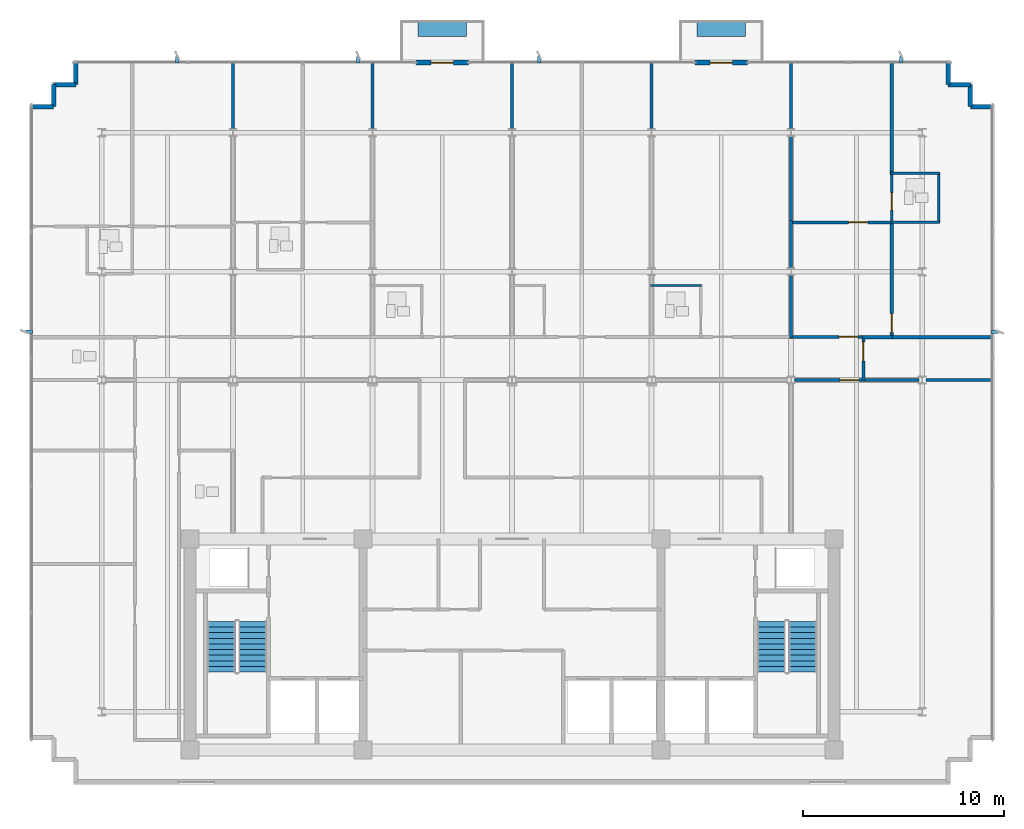
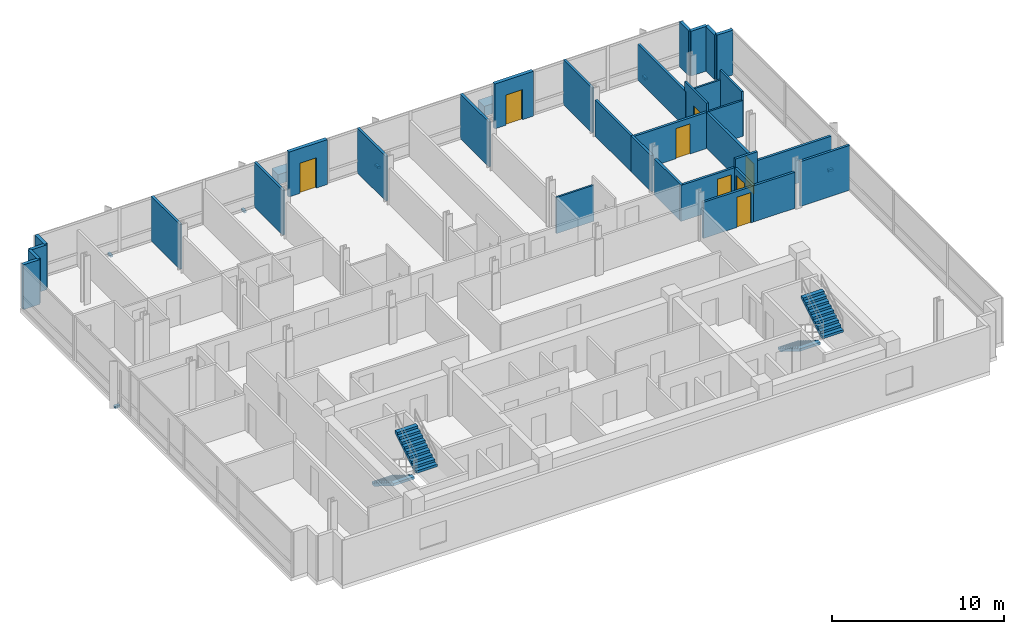
# One storey, part 11 of 14: 33 walls, 8 discrete accessories, 8 doors, 4 stair flights, 8 openings, 2 elements without a shape of their own.
"""IFC4 building model written with IfcOpenShell, lengths in metres."""

from ifc_helpers import new_model, si_unit, direction, frame, frame_2d, origin, origin_2d, place, context, subcontext, project, spatial, polyline, rectangle, outline, extrude, material, layer, layer_set, type_object, element, fill, aggregate, save


model = new_model("IFC4")

# Units and contexts
model_context = context("Model", 3, precision=1e-05, world=origin(), true_north=direction((0.0, 1.0)))
body_context = subcontext(model_context, "Body", "Model", "MODEL_VIEW")
ifc_project = project(units=[si_unit("LENGTHUNIT", "METRE"), si_unit("AREAUNIT", "SQUARE_METRE"), si_unit("VOLUMEUNIT", "CUBIC_METRE"), si_unit("PLANEANGLEUNIT", "RADIAN"), si_unit("MASSUNIT", "GRAM", prefix="KILO")], contexts=[model_context])

# Site, building, storey
site_placement = place(None, origin())
site = spatial("IfcSite", under=ifc_project, at=site_placement, CompositionType="ELEMENT")
building_placement = place(site_placement, origin())
building = spatial("IfcBuilding", under=site, at=building_placement, Name="Solmavex Isthmus Hotel", CompositionType="ELEMENT")
storey_placement = place(building_placement, frame((0.0, 0.0, 252.300048828125)))
storey = spatial("IfcBuildingStorey", under=building, at=storey_placement, Name="L68", CompositionType="ELEMENT", Elevation=252.300048828125)

# Wall, opening, door
ifc_material_1 = material(Name="Precast Concrete C40/50", Category="concrete")
ifc_layer_1 = layer(ifc_material_1, 0.25)
ifc_layer_set_1 = layer_set([ifc_layer_1], Name="Precast Concrete C40/50")
wall_type_1 = type_object("IfcWallType", Name="EW-TWR-250", PredefinedType="STANDARD", material=ifc_layer_set_1)
wall_1_placement = place(storey_placement, frame((-4.76806640625, 21.179931640625, 0.0), z_axis=(0.0, 0.0, 1.0), x_axis=(1.0, 0.0, 0.0)))
wall_1 = element("IfcWall", 1, at=wall_1_placement, inside=storey, type_object=wall_type_1, Name="Exterior Balcony Door Wall L68-2", PredefinedType="STANDARD", context=body_context, shape_type="SweptSolid", body=[
    extrude(rectangle(XDim=2.60009765625, YDim=0.239990234375, at=frame_2d((1.300048828125, 0.0))), origin(), (0.0, 0.0, 1.0), 3.18994140625),
])
opening_1_placement = place(wall_1_placement, frame((0.75, 0.0, 0.0)))
opening_1 = element("IfcOpeningElement", 2, at=opening_1_placement, cuts=wall_1, Name="Opening ED-02", PredefinedType="OPENING", context=body_context, shape_type="SweptSolid", body=[
    extrude(rectangle(XDim=1.10009765625, YDim=2.14990234375, at=frame_2d((0.550048828125, 1.074951171875))), frame((0.0, 0.1298828125, 0.0), z_axis=(0.0, -1.0, 0.0), x_axis=(1.0, 0.0, 0.0)), (0.0, 0.0, 1.0), 0.260009765625),
])
ifc_material_2 = material(Name="Aluminium alloy 6063-T6", Category="aluminium")
door_type_1 = type_object("IfcDoorType", Name="EDR-BALC-1100", OperationType="NOTDEFINED", PredefinedType="DOOR", material=ifc_material_2)
door_1_placement = place(opening_1_placement, origin())
door_1 = element("IfcDoor", 3, at=door_1_placement, inside=storey, type_object=door_type_1, Name="Balcony & Terrace Glazed Door L68-2", OperationType="SINGLE_SWING_RIGHT", OverallHeight=2.14990234375, OverallWidth=1.10009765625, PredefinedType="DOOR", context=body_context, shape_type="SweptSolid", body=[
    extrude(rectangle(XDim=1.10009765625, YDim=2.14990234375, at=frame_2d((0.550048828125, 1.074951171875))), frame((0.0, 0.02490234375, 0.0), z_axis=(0.0, -1.0, 0.0), x_axis=(1.0, 0.0, 0.0)), (0.0, 0.0, 1.0), 0.050048828125),
])
fill(opening_1, door_1)

wall_2_placement = place(storey_placement, frame((9.10400390625, 21.179931640625, 0.0), z_axis=(0.0, 0.0, 1.0), x_axis=(1.0, 0.0, 0.0)))
wall_2 = element("IfcWall", 4, at=wall_2_placement, inside=storey, type_object=wall_type_1, Name="Exterior Balcony Door Wall L68-3", PredefinedType="STANDARD", context=body_context, shape_type="SweptSolid", body=[
    extrude(rectangle(XDim=2.60009765625, YDim=0.239990234375, at=frame_2d((1.300048828125, 0.0))), origin(), (0.0, 0.0, 1.0), 3.18994140625),
])
opening_2_placement = place(wall_2_placement, frame((0.75, 0.0, 0.0)))
opening_2 = element("IfcOpeningElement", 5, at=opening_2_placement, cuts=wall_2, Name="Opening ED-02", PredefinedType="OPENING", context=body_context, shape_type="SweptSolid", body=[
    extrude(rectangle(XDim=1.10009765625, YDim=2.14990234375, at=frame_2d((0.550048828125, 1.074951171875))), frame((0.0, 0.1298828125, 0.0), z_axis=(0.0, -1.0, 0.0), x_axis=(1.0, 0.0, 0.0)), (0.0, 0.0, 1.0), 0.260009765625),
])
door_2_placement = place(opening_2_placement, origin())
door_2 = element("IfcDoor", 6, at=door_2_placement, inside=storey, type_object=door_type_1, Name="Balcony & Terrace Glazed Door L68-3", OperationType="SINGLE_SWING_LEFT", OverallHeight=2.14990234375, OverallWidth=1.10009765625, PredefinedType="DOOR", context=body_context, shape_type="SweptSolid", body=[
    extrude(rectangle(XDim=1.10009765625, YDim=2.14990234375, at=frame_2d((0.550048828125, 1.074951171875))), frame((0.0, 0.02490234375, 0.0), z_axis=(0.0, -1.0, 0.0), x_axis=(1.0, 0.0, 0.0)), (0.0, 0.0, 1.0), 0.050048828125),
])
fill(opening_2, door_2)

# Walls
wall_3_placement = place(storey_placement, frame((-23.889892578125, 18.989990234375, 0.0), z_axis=(0.0, 0.0, 1.0), x_axis=(1.0, 0.0, 0.0)))
element("IfcWall", 7, at=wall_3_placement, inside=storey, type_object=wall_type_1, Name="Serrated Corner Facade Panel L68-06", PredefinedType="STANDARD", context=body_context, shape_type="SweptSolid", body=[
    extrude(rectangle(XDim=1.099853515625, YDim=0.219970703125, at=frame_2d((0.5498046875, 0.0))), origin(), (0.0, 0.0, 1.0), 3.18994140625),
])
for number, where, z_axis, x_axis, name in (
    (8, (-22.7900390625, 18.989990234375, 0.0), (0.0, 0.0, 1.0), (0.0, 1.0, 0.0), "Serrated Corner Facade Panel L68-07"),
    (9, (-22.7900390625, 20.090087890625, 0.0), (0.0, 0.0, 1.0), (1.0, 0.0, 0.0), "Serrated Corner Facade Panel L68-08"),
):
    element("IfcWall", number, at=place(storey_placement, frame(where, z_axis=z_axis, x_axis=x_axis)), inside=storey, type_object=wall_type_1, Name=name, PredefinedType="STANDARD", context=body_context, shape_type="SweptSolid", body=[
        extrude(rectangle(XDim=1.10009765625, YDim=0.219970703125, at=frame_2d((0.550048828125, 0.0))), origin(), (0.0, 0.0, 1.0), 3.18994140625),
    ])
for number, where, z_axis, x_axis, name in (
    (10, (-21.68994140625, 20.090087890625, 0.0), (0.0, 0.0, 1.0), (0.0, 1.0, 0.0), "Serrated Corner Facade Panel L68-09"),
    (11, (21.68994140625, 21.18994140625, 0.0), (0.0, 0.0, 1.0), (0.0, -1.0, 0.0), "Serrated Corner Facade Panel L68-11"),
):
    element("IfcWall", number, at=place(storey_placement, frame(where, z_axis=z_axis, x_axis=x_axis)), inside=storey, type_object=wall_type_1, Name=name, PredefinedType="STANDARD", context=body_context, shape_type="SweptSolid", body=[
        extrude(rectangle(XDim=1.099853515625, YDim=0.219970703125, at=frame_2d((0.5498046875, 0.0))), origin(), (0.0, 0.0, 1.0), 3.18994140625),
    ])
for number, where, z_axis, x_axis, name in (
    (12, (21.68994140625, 20.090087890625, 0.0), (0.0, 0.0, 1.0), (1.0, 0.0, 0.0), "Serrated Corner Facade Panel L68-12"),
    (13, (22.7900390625, 20.090087890625, 0.0), (0.0, 0.0, 1.0), (0.0, -1.0, 0.0), "Serrated Corner Facade Panel L68-13"),
):
    element("IfcWall", number, at=place(storey_placement, frame(where, z_axis=z_axis, x_axis=x_axis)), inside=storey, type_object=wall_type_1, Name=name, PredefinedType="STANDARD", context=body_context, shape_type="SweptSolid", body=[
        extrude(rectangle(XDim=1.10009765625, YDim=0.219970703125, at=frame_2d((0.550048828125, 0.0))), origin(), (0.0, 0.0, 1.0), 3.18994140625),
    ])
wall_4_placement = place(storey_placement, frame((22.7900390625, 18.989990234375, 0.0), z_axis=(0.0, 0.0, 1.0), x_axis=(1.0, 0.0, 0.0)))
element("IfcWall", 14, at=wall_4_placement, inside=storey, type_object=wall_type_1, Name="Serrated Corner Facade Panel L68-14", PredefinedType="STANDARD", context=body_context, shape_type="SweptSolid", body=[
    extrude(rectangle(XDim=1.099853515625, YDim=0.219970703125, at=frame_2d((0.5498046875, 0.0))), origin(), (0.0, 0.0, 1.0), 3.18994140625),
])
ifc_material_3 = material(Name="Gypsum plasterboard lining", Category="gypsum")
ifc_layer_2 = layer(ifc_material_3, 0.159912109375)
ifc_layer_set_2 = layer_set([ifc_layer_2], Name="Gypsum plasterboard lining")
wall_type_2 = type_object("IfcWallType", Name="IW-COMP-160", PredefinedType="PARTITIONING", material=ifc_layer_set_2)
for number, where, z_axis, x_axis, name in (
    (15, (-13.8720703125, 21.219970703125, 0.0), (0.0, 0.0, 1.0), (0.0, -1.0, 0.0), "Interior Partition Wall W-L68-P049"),
    (16, (-6.93603515625, 21.219970703125, 0.0), (0.0, 0.0, 1.0), (0.0, -1.0, 0.0), "Interior Partition Wall W-L68-P060"),
    (17, (0.0, 21.219970703125, 0.0), (0.0, 0.0, 1.0), (0.0, -1.0, 0.0), "Interior Partition Wall W-L68-P065"),
    (18, (6.93603515625, 21.219970703125, 0.0), (0.0, 0.0, 1.0), (0.0, -1.0, 0.0), "Interior Partition Wall W-L68-P071"),
):
    element("IfcWall", number, at=place(storey_placement, frame(where, z_axis=z_axis, x_axis=x_axis)), inside=storey, type_object=wall_type_2, Name=name, PredefinedType="PARTITIONING", context=body_context, shape_type="SweptSolid", body=[
        extrude(rectangle(XDim=3.344970703125, YDim=0.159912109375, at=frame_2d((1.67236328125, 0.0))), origin(), (0.0, 0.0, 1.0), 3.18994140625),
    ])
wall_5_placement = place(storey_placement, frame((13.8720703125, 10.613037109375, 0.0), z_axis=(0.0, 0.0, 1.0), x_axis=(0.0, -1.0, 0.0)))
element("IfcWall", 19, at=wall_5_placement, inside=storey, type_object=wall_type_2, Name="Interior Partition Wall W-L68-P074", PredefinedType="PARTITIONING", context=body_context, shape_type="SweptSolid", body=[
    extrude(rectangle(XDim=3.10302734375, YDim=0.159912109375, at=frame_2d((1.551513671875, 0.0))), origin(), (0.0, 0.0, 1.0), 2.572265625),
])
wall_6_placement = place(storey_placement, frame((13.8720703125, 13.320068359375, 0.0), z_axis=(0.0, 0.0, 1.0), x_axis=(0.0, -1.0, 0.0)))
element("IfcWall", 20, at=wall_6_placement, inside=storey, type_object=wall_type_2, Name="Interior Partition Wall W-L68-P075", PredefinedType="PARTITIONING", context=body_context, shape_type="SweptSolid", body=[
    extrude(rectangle(XDim=2.357177734375, YDim=0.159912109375, at=frame_2d((1.1787109375, 0.0))), origin(), (0.0, 0.0, 1.0), 2.572265625),
])
wall_7_placement = place(storey_placement, frame((13.8720703125, 17.52490234375, 0.0), z_axis=(0.0, 0.0, 1.0), x_axis=(0.0, -1.0, 0.0)))
element("IfcWall", 21, at=wall_7_placement, inside=storey, type_object=wall_type_2, Name="Interior Partition Wall W-L68-P076", PredefinedType="PARTITIONING", context=body_context, shape_type="SweptSolid", body=[
    extrude(rectangle(XDim=4.368896484375, YDim=0.159912109375, at=frame_2d((2.1845703125, 0.0))), origin(), (0.0, 0.0, 1.0), 2.572265625),
])
wall_8_placement = place(storey_placement, frame((13.8720703125, 21.219970703125, 0.0), z_axis=(0.0, 0.0, 1.0), x_axis=(0.0, -1.0, 0.0)))
element("IfcWall", 22, at=wall_8_placement, inside=storey, type_object=wall_type_2, Name="Interior Partition Wall W-L68-P077", PredefinedType="PARTITIONING", context=body_context, shape_type="SweptSolid", body=[
    extrude(rectangle(XDim=3.344970703125, YDim=0.159912109375, at=frame_2d((1.67236328125, 0.0))), origin(), (0.0, 0.0, 1.0), 3.18994140625),
])

# Wall, opening, door
wall_9_placement = place(storey_placement, frame((13.83203125, 13.238037109375, 0.0), z_axis=(0.0, 0.0, 1.0), x_axis=(1.0, 0.0, 0.0)))
wall_9 = element("IfcWall", 23, at=wall_9_placement, inside=storey, type_object=wall_type_2, Name="Interior Partition Wall W-L68-P078", PredefinedType="PARTITIONING", context=body_context, shape_type="SweptSolid", body=[
    extrude(rectangle(XDim=5.083984375, YDim=0.159912109375, at=frame_2d((2.5419921875, 0.0))), origin(), (0.0, 0.0, 1.0), 2.572265625),
])
opening_3_placement = place(wall_9_placement, frame((2.90771484375, 0.0, 0.0)))
opening_3 = element("IfcOpeningElement", 24, at=opening_3_placement, cuts=wall_9, Name="Opening ID-C095", PredefinedType="OPENING", context=body_context, shape_type="SweptSolid", body=[
    extrude(rectangle(XDim=0.949951171875, YDim=2.14990234375, at=frame_2d((0.47509765625, 1.074951171875))), frame((0.0, 0.08984375, 0.0), z_axis=(0.0, -1.0, 0.0), x_axis=(1.0, 0.0, 0.0)), (0.0, 0.0, 1.0), 0.179931640625),
])
ifc_material_4 = material(Name="Hardwood timber", Category="wood")
door_type_2 = type_object("IfcDoorType", Name="IDR-FD60-0950", OperationType="NOTDEFINED", PredefinedType="DOOR", material=ifc_material_4)
door_3_placement = place(opening_3_placement, origin())
door_3 = element("IfcDoor", 25, at=door_3_placement, inside=storey, type_object=door_type_2, Name="Junior Suite Master Bedroom Door L68-17", OperationType="SINGLE_SWING_LEFT", OverallHeight=2.14990234375, OverallWidth=0.949951171875, PredefinedType="DOOR", context=body_context, shape_type="SweptSolid", body=[
    extrude(rectangle(XDim=0.949951171875, YDim=2.14990234375, at=frame_2d((0.47509765625, 1.074951171875))), frame((0.0, 0.02490234375, 0.0), z_axis=(0.0, -1.0, 0.0), x_axis=(1.0, 0.0, 0.0)), (0.0, 0.0, 1.0), 0.050048828125),
])
fill(opening_3, door_3)

wall_10_placement = place(storey_placement, frame((18.8759765625, 13.278076171875, 0.0), z_axis=(0.0, 0.0, 1.0), x_axis=(0.0, -1.0, 0.0)))
wall_10 = element("IfcWall", 26, at=wall_10_placement, inside=storey, type_object=wall_type_2, Name="Interior Partition Wall W-L68-P079", PredefinedType="PARTITIONING", context=body_context, shape_type="SweptSolid", body=[
    extrude(rectangle(XDim=5.7880859375, YDim=0.159912109375, at=frame_2d((2.89404296875, 0.0))), origin(), (0.0, 0.0, 1.0), 2.572265625),
])
opening_4_placement = place(wall_10_placement, frame((4.57666015625, 0.0, 0.0)))
opening_4 = element("IfcOpeningElement", 27, at=opening_4_placement, cuts=wall_10, Name="Opening ID-C095", PredefinedType="OPENING", context=body_context, shape_type="SweptSolid", body=[
    extrude(rectangle(XDim=0.949951171875, YDim=2.14990234375, at=frame_2d((0.47509765625, 1.074951171875))), frame((0.0, 0.08984375, 0.0), z_axis=(0.0, -1.0, 0.0), x_axis=(1.0, 0.0, 0.0)), (0.0, 0.0, 1.0), 0.179931640625),
])
door_4_placement = place(opening_4_placement, frame((0.949951171875, 0.0, 0.0), z_axis=(0.0, 0.0, 1.0), x_axis=(-1.0, 0.0, 0.0)))
door_4 = element("IfcDoor", 28, at=door_4_placement, inside=storey, type_object=door_type_2, Name="Junior Suite Living Lounge Door L68-18", OperationType="SINGLE_SWING_RIGHT", OverallHeight=2.14990234375, OverallWidth=0.949951171875, PredefinedType="DOOR", context=body_context, shape_type="SweptSolid", body=[
    extrude(rectangle(XDim=0.949951171875, YDim=2.14990234375, at=frame_2d((0.47509765625, 1.074951171875))), frame((0.0, 0.02490234375, 0.0), z_axis=(0.0, -1.0, 0.0), x_axis=(1.0, 0.0, 0.0)), (0.0, 0.0, 1.0), 0.050048828125),
])
fill(opening_4, door_4)

# Walls
wall_11_placement = place(storey_placement, frame((18.916015625, 7.530029296875, 0.0), z_axis=(0.0, 0.0, 1.0), x_axis=(-1.0, 0.0, 0.0)))
element("IfcWall", 29, at=wall_11_placement, inside=storey, type_object=wall_type_2, Name="Interior Partition Wall W-L68-P080", PredefinedType="PARTITIONING", context=body_context, shape_type="SweptSolid", body=[
    extrude(rectangle(XDim=1.484130859375, YDim=0.159912109375, at=frame_2d((0.7421875, 0.0))), origin(), (0.0, 0.0, 1.0), 3.18994140625),
])
wall_12_placement = place(storey_placement, frame((18.8759765625, 21.219970703125, 0.0), z_axis=(0.0, 0.0, 1.0), x_axis=(0.0, -1.0, 0.0)))
element("IfcWall", 30, at=wall_12_placement, inside=storey, type_object=wall_type_2, Name="Interior Partition Wall W-L68-P081", PredefinedType="PARTITIONING", context=body_context, shape_type="SweptSolid", body=[
    extrude(rectangle(XDim=5.614013671875, YDim=0.159912109375, at=frame_2d((2.80712890625, 0.0))), origin(), (0.0, 0.0, 1.0), 2.557373046875),
])
wall_13_placement = place(storey_placement, frame((23.919921875, 7.530029296875, 0.0), z_axis=(0.0, 0.0, 1.0), x_axis=(-1.0, 0.0, 0.0)))
element("IfcWall", 31, at=wall_13_placement, inside=storey, type_object=wall_type_2, Name="Interior Partition Wall W-L68-P086", PredefinedType="PARTITIONING", context=body_context, shape_type="SweptSolid", body=[
    extrude(rectangle(XDim=5.083984375, YDim=0.159912109375, at=frame_2d((2.5419921875, 0.0))), origin(), (0.0, 0.0, 1.0), 2.557373046875),
])
wall_14_placement = place(storey_placement, frame((20.22509765625, 5.39990234375, 0.0), z_axis=(0.0, 0.0, 1.0), x_axis=(-1.0, 0.0, 0.0)))
element("IfcWall", 32, at=wall_14_placement, inside=storey, type_object=wall_type_2, Name="Interior Partition Wall W-L68-P091", PredefinedType="PARTITIONING", context=body_context, shape_type="SweptSolid", body=[
    extrude(rectangle(XDim=2.793212890625, YDim=0.159912109375, at=frame_2d((1.396484375, 0.0))), origin(), (0.0, 0.0, 1.0), 2.572265625),
])
wall_15_placement = place(storey_placement, frame((23.919921875, 5.39990234375, 0.0), z_axis=(0.0, 0.0, 1.0), x_axis=(-1.0, 0.0, 0.0)))
element("IfcWall", 33, at=wall_15_placement, inside=storey, type_object=wall_type_2, Name="Interior Partition Wall W-L68-P092", PredefinedType="PARTITIONING", context=body_context, shape_type="SweptSolid", body=[
    extrude(rectangle(XDim=3.344970703125, YDim=0.159912109375, at=frame_2d((1.67236328125, 0.0))), origin(), (0.0, 0.0, 1.0), 3.18994140625),
])

# Wall, opening, door
ifc_layer_3 = layer(ifc_material_3, 0.14990234375)
ifc_layer_set_3 = layer_set([ifc_layer_3], Name="Gypsum plasterboard lining")
wall_type_3 = type_object("IfcWallType", Name="IW-CORR-150", PredefinedType="PARTITIONING", material=ifc_layer_set_3)
wall_16_placement = place(storey_placement, frame((13.7900390625, 7.550048828125, 0.0), z_axis=(0.0, 0.0, 1.0), x_axis=(1.0, 0.0, 0.0)))
wall_16 = element("IfcWall", 34, at=wall_16_placement, inside=storey, type_object=wall_type_3, Name="Interior Partition Wall W-L68-P010", PredefinedType="PARTITIONING", context=body_context, shape_type="SweptSolid", body=[
    extrude(rectangle(XDim=3.721923828125, YDim=0.14990234375, at=frame_2d((1.86083984375, 0.0))), origin(), (0.0, 0.0, 1.0), 2.572265625),
])
opening_5_placement = place(wall_16_placement, frame((2.456787109375, 0.0, 0.0)))
opening_5 = element("IfcOpeningElement", 35, at=opening_5_placement, cuts=wall_16, Name="Opening ID-C095", PredefinedType="OPENING", context=body_context, shape_type="SweptSolid", body=[
    extrude(rectangle(XDim=0.949951171875, YDim=2.14990234375, at=frame_2d((0.47509765625, 1.074951171875))), frame((0.0, 0.0849609375, 0.0), z_axis=(0.0, -1.0, 0.0), x_axis=(1.0, 0.0, 0.0)), (0.0, 0.0, 1.0), 0.169921875),
])
door_5_placement = place(opening_5_placement, origin())
door_5 = element("IfcDoor", 36, at=door_5_placement, inside=storey, type_object=door_type_2, Name="Junior Suite Entrance Hall Door L68-16", OperationType="SINGLE_SWING_RIGHT", OverallHeight=2.14990234375, OverallWidth=0.949951171875, PredefinedType="DOOR", context=body_context, shape_type="SweptSolid", body=[
    extrude(rectangle(XDim=0.949951171875, YDim=2.14990234375, at=frame_2d((0.47509765625, 1.074951171875))), frame((0.0, 0.02490234375, 0.0), z_axis=(0.0, -1.0, 0.0), x_axis=(1.0, 0.0, 0.0)), (0.0, 0.0, 1.0), 0.050048828125),
])
fill(opening_5, door_5)

wall_17_placement = place(storey_placement, frame((17.471923828125, 7.570068359375, 0.0), z_axis=(0.0, 0.0, 1.0), x_axis=(0.0, -1.0, 0.0)))
wall_17 = element("IfcWall", 37, at=wall_17_placement, inside=storey, type_object=wall_type_3, Name="Interior Partition Wall W-L68-P013", PredefinedType="PARTITIONING", context=body_context, shape_type="SweptSolid", body=[
    extrude(rectangle(XDim=2.2099609375, YDim=0.14990234375, at=frame_2d((1.10498046875, 0.0))), origin(), (0.0, 0.0, 1.0), 2.572265625),
])
opening_6_placement = place(wall_17_placement, frame((0.272216796875, 0.0, 0.0)))
opening_6 = element("IfcOpeningElement", 38, at=opening_6_placement, cuts=wall_17, Name="Opening ID-C095", PredefinedType="OPENING", context=body_context, shape_type="SweptSolid", body=[
    extrude(rectangle(XDim=0.949951171875, YDim=2.14990234375, at=frame_2d((0.47509765625, 1.074951171875))), frame((0.0, 0.0849609375, 0.0), z_axis=(0.0, -1.0, 0.0), x_axis=(1.0, 0.0, 0.0)), (0.0, 0.0, 1.0), 0.169921875),
])
door_6_placement = place(opening_6_placement, frame((0.949951171875, 0.0, 0.0), z_axis=(0.0, 0.0, 1.0), x_axis=(-1.0, 0.0, 0.0)))
door_6 = element("IfcDoor", 39, at=door_6_placement, inside=storey, type_object=door_type_2, Name="Finishing Kitchen Door L68-22", OperationType="SINGLE_SWING_RIGHT", OverallHeight=2.14990234375, OverallWidth=0.949951171875, PredefinedType="DOOR", context=body_context, shape_type="SweptSolid", body=[
    extrude(rectangle(XDim=0.949951171875, YDim=2.14990234375, at=frame_2d((0.47509765625, 1.074951171875))), frame((0.0, 0.02490234375, 0.0), z_axis=(0.0, -1.0, 0.0), x_axis=(1.0, 0.0, 0.0)), (0.0, 0.0, 1.0), 0.050048828125),
])
fill(opening_6, door_6)

wall_18_placement = place(storey_placement, frame((17.511962890625, 5.39990234375, 0.0), z_axis=(0.0, 0.0, 1.0), x_axis=(-1.0, 0.0, 0.0)))
wall_18 = element("IfcWall", 40, at=wall_18_placement, inside=storey, type_object=wall_type_3, Name="Interior Partition Wall W-L68-P033", PredefinedType="PARTITIONING", context=body_context, shape_type="SweptSolid", body=[
    extrude(rectangle(XDim=3.46484375, YDim=0.14990234375, at=frame_2d((1.732421875, 0.0))), origin(), (0.0, 0.0, 1.0), 2.572265625),
])
opening_7_placement = place(wall_18_placement, frame((0.26220703125, 0.0, 0.0)))
opening_7 = element("IfcOpeningElement", 41, at=opening_7_placement, cuts=wall_18, Name="Opening ID-C095", PredefinedType="OPENING", context=body_context, shape_type="SweptSolid", body=[
    extrude(rectangle(XDim=0.949951171875, YDim=2.14990234375, at=frame_2d((0.47509765625, 1.074951171875))), frame((0.0, 0.0849609375, 0.0), z_axis=(0.0, -1.0, 0.0), x_axis=(1.0, 0.0, 0.0)), (0.0, 0.0, 1.0), 0.169921875),
])
door_7_placement = place(opening_7_placement, origin())
door_7 = element("IfcDoor", 42, at=door_7_placement, inside=storey, type_object=door_type_2, Name="Reading Library Door L68-27", OperationType="SINGLE_SWING_LEFT", OverallHeight=2.14990234375, OverallWidth=0.949951171875, PredefinedType="DOOR", context=body_context, shape_type="SweptSolid", body=[
    extrude(rectangle(XDim=0.949951171875, YDim=2.14990234375, at=frame_2d((0.47509765625, 1.074951171875))), frame((0.0, 0.02490234375, 0.0), z_axis=(0.0, -1.0, 0.0), x_axis=(1.0, 0.0, 0.0)), (0.0, 0.0, 1.0), 0.050048828125),
])
fill(opening_7, door_7)

# Wall
ifc_layer_4 = layer(ifc_material_3, 0.1201171875)
ifc_layer_set_4 = layer_set([ifc_layer_4], Name="Gypsum plasterboard lining")
wall_type_4 = type_object("IfcWallType", Name="IW-PART-120", PredefinedType="PARTITIONING", material=ifc_layer_set_4)
wall_19_placement = place(storey_placement, frame((9.426025390625, 10.10009765625, 0.0), z_axis=(0.0, 0.0, 1.0), x_axis=(-1.0, 0.0, 0.0)))
element("IfcWall", 43, at=wall_19_placement, inside=storey, type_object=wall_type_4, Name="Interior Partition Wall W-L68-P073", PredefinedType="PARTITIONING", context=body_context, shape_type="SweptSolid", body=[
    extrude(rectangle(XDim=2.530029296875, YDim=0.1201171875, at=frame_2d((1.26513671875, 0.0))), origin(), (0.0, 0.0, 1.0), 2.572265625),
])

# Wall, opening, door
wall_20_placement = place(storey_placement, frame((18.8759765625, 15.77001953125, 0.0), z_axis=(0.0, 0.0, 1.0), x_axis=(0.0, -1.0, 0.0)))
wall_20 = element("IfcWall", 44, at=wall_20_placement, inside=storey, type_object=wall_type_4, Name="Interior Partition Wall W-L68-P082", PredefinedType="PARTITIONING", context=body_context, shape_type="SweptSolid", body=[
    extrude(rectangle(XDim=2.572021484375, YDim=0.1201171875, at=frame_2d((1.2861328125, 0.0))), origin(), (0.0, 0.0, 1.0), 3.18994140625),
])
opening_8_placement = place(wall_20_placement, frame((1.0703125, 0.0, 0.0)))
opening_8 = element("IfcOpeningElement", 45, at=opening_8_placement, cuts=wall_20, Name="Opening ID-U085", PredefinedType="OPENING", context=body_context, shape_type="SweptSolid", body=[
    extrude(rectangle(XDim=0.85009765625, YDim=2.10009765625, at=frame_2d((0.425048828125, 1.050048828125))), frame((0.0, 0.070068359375, 0.0), z_axis=(0.0, -1.0, 0.0), x_axis=(1.0, 0.0, 0.0)), (0.0, 0.0, 1.0), 0.14013671875),
])
door_type_3 = type_object("IfcDoorType", Name="IDR-UNR-0850", OperationType="NOTDEFINED", PredefinedType="DOOR", material=ifc_material_4)
door_8_placement = place(opening_8_placement, frame((0.85009765625, 0.0, 0.0), z_axis=(0.0, 0.0, 1.0), x_axis=(-1.0, 0.0, 0.0)))
door_8 = element("IfcDoor", 46, at=door_8_placement, inside=storey, type_object=door_type_3, Name="En-suite Bathroom Door L68-19", OperationType="SINGLE_SWING_LEFT", OverallHeight=2.10009765625, OverallWidth=0.85009765625, PredefinedType="DOOR", context=body_context, shape_type="SweptSolid", body=[
    extrude(rectangle(XDim=0.85009765625, YDim=2.10009765625, at=frame_2d((0.425048828125, 1.050048828125))), frame((0.0, 0.02490234375, 0.0), z_axis=(0.0, -1.0, 0.0), x_axis=(1.0, 0.0, 0.0)), (0.0, 0.0, 1.0), 0.050048828125),
])
fill(opening_8, door_8)

# Walls
wall_21_placement = place(storey_placement, frame((18.8359375, 13.238037109375, 0.0), z_axis=(0.0, 0.0, 1.0), x_axis=(1.0, 0.0, 0.0)))
element("IfcWall", 47, at=wall_21_placement, inside=storey, type_object=wall_type_4, Name="Interior Partition Wall W-L68-P083", PredefinedType="PARTITIONING", context=body_context, shape_type="SweptSolid", body=[
    extrude(rectangle(XDim=2.43017578125, YDim=0.1201171875, at=frame_2d((1.215087890625, 0.0))), origin(), (0.0, 0.0, 1.0), 2.557373046875),
])
wall_22_placement = place(storey_placement, frame((21.22607421875, 13.197998046875, 0.0), z_axis=(0.0, 0.0, 1.0), x_axis=(0.0, 1.0, 0.0)))
element("IfcWall", 48, at=wall_22_placement, inside=storey, type_object=wall_type_4, Name="Interior Partition Wall W-L68-P084", PredefinedType="PARTITIONING", context=body_context, shape_type="SweptSolid", body=[
    extrude(rectangle(XDim=2.530029296875, YDim=0.1201171875, at=frame_2d((1.26513671875, 0.0))), origin(), (0.0, 0.0, 1.0), 3.18994140625),
])
wall_23_placement = place(storey_placement, frame((21.26611328125, 15.68798828125, 0.0), z_axis=(0.0, 0.0, 1.0), x_axis=(-1.0, 0.0, 0.0)))
element("IfcWall", 49, at=wall_23_placement, inside=storey, type_object=wall_type_4, Name="Interior Partition Wall W-L68-P085", PredefinedType="PARTITIONING", context=body_context, shape_type="SweptSolid", body=[
    extrude(rectangle(XDim=2.43017578125, YDim=0.1201171875, at=frame_2d((1.215087890625, 0.0))), origin(), (0.0, 0.0, 1.0), 2.557373046875),
])

# Stair, stair flights
ifc_material_5 = material(Name="Concrete C40/50", Category="concrete")
stair_type_1 = type_object("IfcStairType", Name="STR-ST-1", PredefinedType="HALF_TURN_STAIR", material=ifc_material_5)
stair_1_placement = place(storey_placement, origin())
stair_1 = element("IfcStair", 50, at=stair_1_placement, inside=storey, type_object=stair_type_1, Name="L68 Protected Exit Stair ST-1", PredefinedType="HALF_TURN_STAIR")
stair_flight_type_1 = type_object("IfcStairFlightType", Name="SFL-ST-1", PredefinedType="STRAIGHT", material=ifc_material_5)
stair_flight_1_placement = place(storey_placement, frame((-14.449951171875, -6.60009765625, 0.0), z_axis=(0.0, 0.0, 1.0), x_axis=(0.0, -1.0, 0.0)))
stair_flight_1 = element("IfcStairFlight", 51, at=stair_flight_1_placement, type_object=stair_flight_type_1, Name="ST-1 flight 1", NumberOfRisers=10, NumberOfTreads=9, PredefinedType="STRAIGHT", RiserHeight=0.1725, TreadLength=0.28, context=body_context, shape_type="SweptSolid", body=[
    extrude(outline(polyline([(0.0, 0.0), (0.0, 0.172607421875), (0.280029296875, 0.172607421875), (0.280029296875, 0.344970703125), (0.56005859375, 0.344970703125), (0.56005859375, 0.517578125), (0.840087890625, 0.517578125), (0.840087890625, 0.68994140625), (1.1201171875, 0.68994140625), (1.1201171875, 0.862548828125), (1.39990234375, 0.862548828125), (1.39990234375, 1.034912109375), (1.679931640625, 1.034912109375), (1.679931640625, 1.20751953125), (1.9599609375, 1.20751953125), (1.9599609375, 1.3798828125), (2.239990234375, 1.3798828125), (2.239990234375, 1.552490234375), (2.52001953125, 1.552490234375), (2.52001953125, 1.72509765625), (2.52001953125, 1.37646484375), (0.285888671875, 0.0), (0.0, 0.0)])), frame((0.0, 0.699951171875, 0.0), z_axis=(0.0, -1.0, 0.0), x_axis=(1.0, 0.0, 0.0)), (0.0, 0.0, 1.0), 1.39990234375),
])
stair_flight_2_placement = place(storey_placement, frame((-12.89990234375, -9.1201171875, 1.724853515625), z_axis=(0.0, 0.0, 1.0), x_axis=(0.0, 1.0, 0.0)))
stair_flight_2 = element("IfcStairFlight", 52, at=stair_flight_2_placement, type_object=stair_flight_type_1, Name="ST-1 flight 2", NumberOfRisers=10, NumberOfTreads=9, PredefinedType="STRAIGHT", RiserHeight=0.1725, TreadLength=0.28, context=body_context, shape_type="SweptSolid", body=[
    extrude(outline(polyline([(0.0, 0.0), (0.0, 0.172607421875), (0.280029296875, 0.172607421875), (0.280029296875, 0.344970703125), (0.56005859375, 0.344970703125), (0.56005859375, 0.517578125), (0.840087890625, 0.517578125), (0.840087890625, 0.68994140625), (1.1201171875, 0.68994140625), (1.1201171875, 0.862548828125), (1.39990234375, 0.862548828125), (1.39990234375, 1.034912109375), (1.679931640625, 1.034912109375), (1.679931640625, 1.20751953125), (1.9599609375, 1.20751953125), (1.9599609375, 1.3798828125), (2.239990234375, 1.3798828125), (2.239990234375, 1.552490234375), (2.52001953125, 1.552490234375), (2.52001953125, 1.72509765625), (2.52001953125, 1.37646484375), (0.285888671875, 0.0), (0.0, 0.0)])), frame((0.0, 0.699951171875, 0.0), z_axis=(0.0, -1.0, 0.0), x_axis=(1.0, 0.0, 0.0)), (0.0, 0.0, 1.0), 1.39990234375),
])
aggregate(stair_1, [stair_flight_1, stair_flight_2])

stair_type_2 = type_object("IfcStairType", Name="STR-ST-2", PredefinedType="HALF_TURN_STAIR", material=ifc_material_5)
stair_2_placement = place(storey_placement, origin())
stair_2 = element("IfcStair", 53, at=stair_2_placement, inside=storey, type_object=stair_type_2, Name="L68 Protected Exit Stair ST-2", PredefinedType="HALF_TURN_STAIR")
stair_flight_type_2 = type_object("IfcStairFlightType", Name="SFL-ST-2", PredefinedType="STRAIGHT", material=ifc_material_5)
stair_flight_3_placement = place(storey_placement, frame((12.89990234375, -6.60009765625, 0.0), z_axis=(0.0, 0.0, 1.0), x_axis=(0.0, -1.0, 0.0)))
stair_flight_3 = element("IfcStairFlight", 54, at=stair_flight_3_placement, type_object=stair_flight_type_2, Name="ST-2 flight 1", NumberOfRisers=10, NumberOfTreads=9, PredefinedType="STRAIGHT", RiserHeight=0.1725, TreadLength=0.28, context=body_context, shape_type="SweptSolid", body=[
    extrude(outline(polyline([(0.0, 0.0), (0.0, 0.172607421875), (0.280029296875, 0.172607421875), (0.280029296875, 0.344970703125), (0.56005859375, 0.344970703125), (0.56005859375, 0.517578125), (0.840087890625, 0.517578125), (0.840087890625, 0.68994140625), (1.1201171875, 0.68994140625), (1.1201171875, 0.862548828125), (1.39990234375, 0.862548828125), (1.39990234375, 1.034912109375), (1.679931640625, 1.034912109375), (1.679931640625, 1.20751953125), (1.9599609375, 1.20751953125), (1.9599609375, 1.3798828125), (2.239990234375, 1.3798828125), (2.239990234375, 1.552490234375), (2.52001953125, 1.552490234375), (2.52001953125, 1.72509765625), (2.52001953125, 1.37646484375), (0.285888671875, 0.0), (0.0, 0.0)])), frame((0.0, 0.699951171875, 0.0), z_axis=(0.0, -1.0, 0.0), x_axis=(1.0, 0.0, 0.0)), (0.0, 0.0, 1.0), 1.39990234375),
])
stair_flight_4_placement = place(storey_placement, frame((14.449951171875, -9.1201171875, 1.724853515625), z_axis=(0.0, 0.0, 1.0), x_axis=(0.0, 1.0, 0.0)))
stair_flight_4 = element("IfcStairFlight", 55, at=stair_flight_4_placement, type_object=stair_flight_type_2, Name="ST-2 flight 2", NumberOfRisers=10, NumberOfTreads=9, PredefinedType="STRAIGHT", RiserHeight=0.1725, TreadLength=0.28, context=body_context, shape_type="SweptSolid", body=[
    extrude(outline(polyline([(0.0, 0.0), (0.0, 0.172607421875), (0.280029296875, 0.172607421875), (0.280029296875, 0.344970703125), (0.56005859375, 0.344970703125), (0.56005859375, 0.517578125), (0.840087890625, 0.517578125), (0.840087890625, 0.68994140625), (1.1201171875, 0.68994140625), (1.1201171875, 0.862548828125), (1.39990234375, 0.862548828125), (1.39990234375, 1.034912109375), (1.679931640625, 1.034912109375), (1.679931640625, 1.20751953125), (1.9599609375, 1.20751953125), (1.9599609375, 1.3798828125), (2.239990234375, 1.3798828125), (2.239990234375, 1.552490234375), (2.52001953125, 1.552490234375), (2.52001953125, 1.72509765625), (2.52001953125, 1.37646484375), (0.285888671875, 0.0), (0.0, 0.0)])), frame((0.0, 0.699951171875, 0.0), z_axis=(0.0, -1.0, 0.0), x_axis=(1.0, 0.0, 0.0)), (0.0, 0.0, 1.0), 1.39990234375),
])
aggregate(stair_2, [stair_flight_3, stair_flight_4])

# Discrete accessories
ifc_material_6 = material(Name="Steel ASTM A572 Grade 50", Category="steel")
discrete_accessory_type_1 = type_object("IfcDiscreteAccessoryType", Name="ACC-BRK-FIN", PredefinedType="BRACKET", material=ifc_material_6)
for number, where, z_axis, x_axis, name in (
    (56, (-16.64990234375, 21.320068359375, -0.169921875), (0.0, 0.0, 1.0), (0.0, 1.0, 0.0), "Facade Fin Support Bracket L68-N1"),
    (57, (-7.64990234375, 21.320068359375, -0.169921875), (0.0, 0.0, 1.0), (0.0, 1.0, 0.0), "Facade Fin Support Bracket L68-N2"),
    (58, (1.35009765625, 21.320068359375, -0.169921875), (0.0, 0.0, 1.0), (0.0, 1.0, 0.0), "Facade Fin Support Bracket L68-N3"),
    (59, (19.35009765625, 21.320068359375, -0.169921875), (0.0, 0.0, 1.0), (0.0, 1.0, 0.0), "Facade Fin Support Bracket L68-N4"),
    (60, (-24.02001953125, 7.800048828125, -0.169921875), (0.0, 0.0, 1.0), (-1.0, 0.0, 0.0), "Facade Fin Support Bracket L68-W1"),
    (61, (24.02001953125, 7.800048828125, -0.169921875), (0.0, 0.0, 1.0), (1.0, 0.0, 0.0), "Facade Fin Support Bracket L68-E1"),
):
    element("IfcDiscreteAccessory", number, at=place(storey_placement, frame(where, z_axis=z_axis, x_axis=x_axis)), inside=storey, type_object=discrete_accessory_type_1, Name=name, PredefinedType="BRACKET", context=body_context, shape_type="SweptSolid", body=[
        extrude(rectangle(XDim=0.340087890625, YDim=0.179931640625, at=origin_2d()), origin(), (0.0, 0.0, 1.0), 0.159912109375),
    ])
discrete_accessory_type_2 = type_object("IfcDiscreteAccessoryType", Name="ACC-PLN-BALC", PredefinedType="USERDEFINED", material=ifc_material_1)
for number, where, z_axis, x_axis, name in (
    (62, (-3.468017578125, 22.85009765625, 0.0), (0.0, 0.0, 1.0), (1.0, 0.0, 0.0), "Tree-Balcony Architectural Planter L68-B1"),
    (63, (10.404052734375, 22.85009765625, 0.0), (0.0, 0.0, 1.0), (1.0, 0.0, 0.0), "Tree-Balcony Architectural Planter L68-B2"),
):
    element("IfcDiscreteAccessory", number, at=place(storey_placement, frame(where, z_axis=z_axis, x_axis=x_axis)), inside=storey, type_object=discrete_accessory_type_2, Name=name, ObjectType="PLANTER", PredefinedType="USERDEFINED", context=body_context, shape_type="SweptSolid", body=[
        extrude(rectangle(XDim=2.39990234375, YDim=0.75, at=origin_2d()), origin(), (0.0, 0.0, 1.0), 0.699951171875),
    ])

save(model, "model.ifc")
